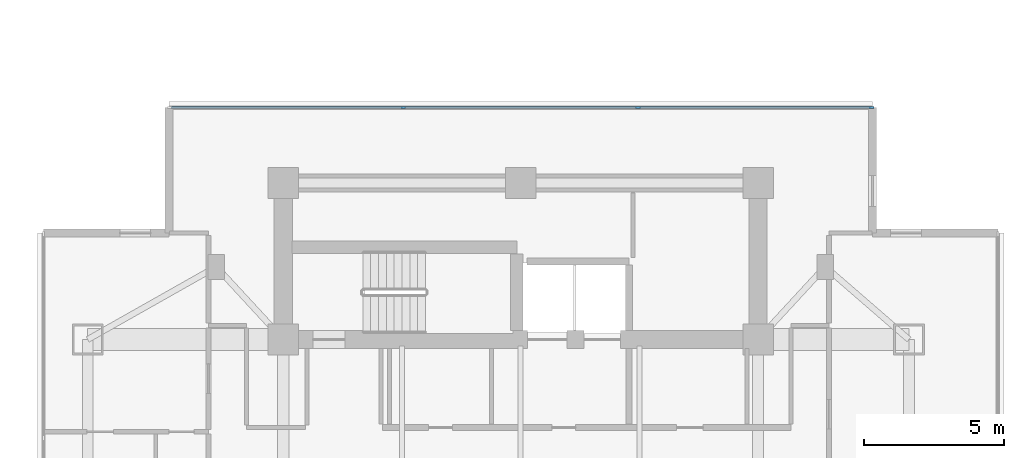
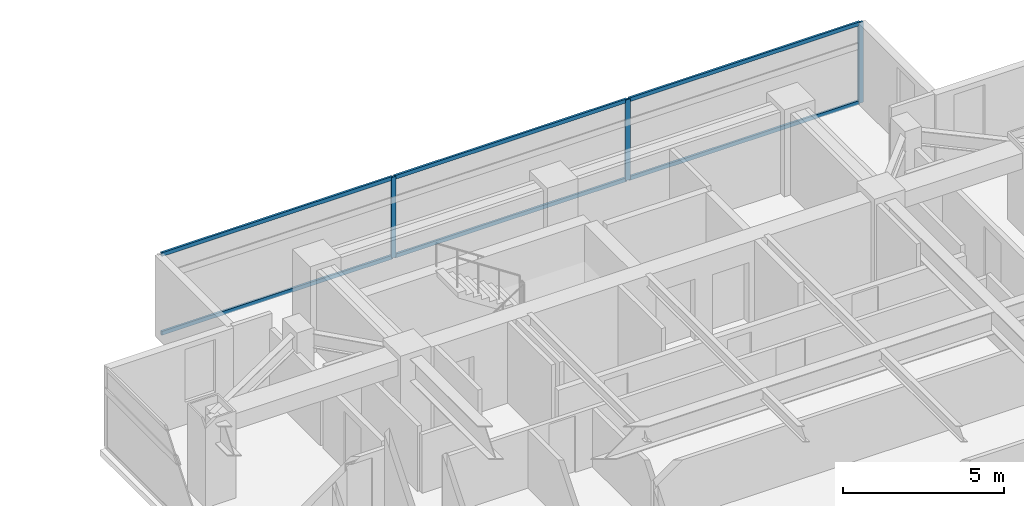
# One storey, part 12 of 26: 9 members, 1 element without a shape of its own.
"""IFC4 building model written with IfcOpenShell, lengths in metres."""

from ifc_helpers import new_model, si_unit, direction, frame, origin, origin_2d, place, context, subcontext, project, spatial, rectangle, extrude, material, material_profile, profile_set, type_object, element, aggregate, save


model = new_model("IFC4")

# Units and contexts
model_context = context("Model", 3, precision=1e-05, world=origin(), true_north=direction((0.0, 1.0)))
body_context = subcontext(model_context, "Body", "Model", "MODEL_VIEW")
ifc_project = project(units=[si_unit("LENGTHUNIT", "METRE"), si_unit("AREAUNIT", "SQUARE_METRE"), si_unit("VOLUMEUNIT", "CUBIC_METRE"), si_unit("PLANEANGLEUNIT", "RADIAN"), si_unit("MASSUNIT", "GRAM", prefix="KILO")], contexts=[model_context])

# Site, building, storey
site_placement = place(None, origin())
site = spatial("IfcSite", under=ifc_project, at=site_placement, CompositionType="ELEMENT")
building_placement = place(site_placement, origin())
building = spatial("IfcBuilding", under=site, at=building_placement, Name="Mirazonda Arch Towers", CompositionType="ELEMENT")
storey_placement = place(building_placement, frame((0.0, 0.0, 121.39990234375)))
storey = spatial("IfcBuildingStorey", under=building, at=storey_placement, Name="L34", CompositionType="ELEMENT", Elevation=121.39990234375)

# Curtain wall, members
ifc_material_1 = material(Name="Anodised Aluminium and Low-E Glass", Category="aluminium")
curtain_wall_type = type_object("IfcCurtainWallType", Name="CW-HTL-UNIT", PredefinedType="NOTDEFINED", material=ifc_material_1)
curtain_wall_placement = place(storey_placement, origin())
curtain_wall = element("IfcCurtainWall", 1, at=curtain_wall_placement, inside=storey, type_object=curtain_wall_type, Name="L34 T2 N Facade CW-L34-T2-N", PredefinedType="NOTDEFINED")
ifc_material_2 = material(Name="Anodised Aluminium Alloy", Category="aluminium")
ifc_material_profile_1 = material_profile(ifc_material_2, rectangle(XDim=0.074951171875, YDim=0.1650390625, at=origin_2d()), Name="ALU-MULL-75x165")
ifc_profile_set_1 = profile_set([ifc_material_profile_1], Name="Anodised Aluminium Alloy")
member_type_1 = type_object("IfcMemberType", Name="MULL-CW-HTL-UNIT", PredefinedType="MULLION", material=ifc_profile_set_1)
member_1_placement = place(storey_placement, frame((72.30126953125, 43.502197265625, 0.0), z_axis=(0.0, 0.0, 1.0), x_axis=(0.0, 1.0, 0.0)))
member_1 = element("IfcMember", 2, at=member_1_placement, type_object=member_type_1, Name="CW-112 mullion 2", PredefinedType="MULLION", context=body_context, shape_type="SweptSolid", body=[
    extrude(rectangle(XDim=0.074951171875, YDim=0.1650390625, at=origin_2d()), origin(), (0.0, 0.0, 1.0), 3.06005859375),
])
member_2_placement = place(storey_placement, frame((80.69873046875, 43.502197265625, 0.0), z_axis=(0.0, 0.0, 1.0), x_axis=(0.0, 1.0, 0.0)))
member_2 = element("IfcMember", 3, at=member_2_placement, type_object=member_type_1, Name="CW-112 mullion 3", PredefinedType="MULLION", context=body_context, shape_type="SweptSolid", body=[
    extrude(rectangle(XDim=0.074951171875, YDim=0.1650390625, at=origin_2d()), origin(), (0.0, 0.0, 1.0), 3.06005859375),
])
member_3_placement = place(storey_placement, frame((89.05908203125, 43.502197265625, 0.0), z_axis=(0.0, 0.0, 1.0), x_axis=(0.0, 1.0, 0.0)))
member_3 = element("IfcMember", 4, at=member_3_placement, type_object=member_type_1, Name="CW-112 mullion 4", PredefinedType="MULLION", context=body_context, shape_type="SweptSolid", body=[
    extrude(rectangle(XDim=0.074951171875, YDim=0.1650390625, at=origin_2d()), origin(), (0.0, 0.0, 1.0), 3.06005859375),
])
ifc_material_profile_2 = material_profile(ifc_material_2, rectangle(XDim=0.074951171875, YDim=0.14501953125, at=origin_2d()), Name="ALU-TRAN-75x145")
ifc_profile_set_2 = profile_set([ifc_material_profile_2], Name="Anodised Aluminium Alloy")
member_type_2 = type_object("IfcMemberType", Name="TRAN-CW-HTL-UNIT", PredefinedType="USERDEFINED", material=ifc_profile_set_2)
member_4_placement = place(storey_placement, frame((63.978515625, 43.502197265625, 0.03759765625), z_axis=(1.0, 0.0, 0.0), x_axis=(0.0, 1.0, 0.0)))
member_4 = element("IfcMember", 5, at=member_4_placement, type_object=member_type_2, Name="CW-112 transom 1.1", ObjectType="TRANSOM", PredefinedType="USERDEFINED", context=body_context, shape_type="SweptSolid", body=[
    extrude(rectangle(XDim=0.074951171875, YDim=0.14501953125, at=origin_2d()), origin(), (0.0, 0.0, 1.0), 8.28515625),
])
member_5_placement = place(storey_placement, frame((63.978515625, 43.502197265625, 3.022705078125), z_axis=(1.0, 0.0, 0.0), x_axis=(0.0, 1.0, 0.0)))
member_5 = element("IfcMember", 6, at=member_5_placement, type_object=member_type_2, Name="CW-112 transom 1.2", ObjectType="TRANSOM", PredefinedType="USERDEFINED", context=body_context, shape_type="SweptSolid", body=[
    extrude(rectangle(XDim=0.074951171875, YDim=0.14501953125, at=origin_2d()), origin(), (0.0, 0.0, 1.0), 8.28515625),
])
member_6_placement = place(storey_placement, frame((72.338623046875, 43.502197265625, 0.03759765625), z_axis=(1.0, 0.0, 0.0), x_axis=(0.0, 1.0, 0.0)))
member_6 = element("IfcMember", 7, at=member_6_placement, type_object=member_type_2, Name="CW-112 transom 2.1", ObjectType="TRANSOM", PredefinedType="USERDEFINED", context=body_context, shape_type="SweptSolid", body=[
    extrude(rectangle(XDim=0.074951171875, YDim=0.14501953125, at=origin_2d()), origin(), (0.0, 0.0, 1.0), 8.32275390625),
])
member_7_placement = place(storey_placement, frame((72.338623046875, 43.502197265625, 3.022705078125), z_axis=(1.0, 0.0, 0.0), x_axis=(0.0, 1.0, 0.0)))
member_7 = element("IfcMember", 8, at=member_7_placement, type_object=member_type_2, Name="CW-112 transom 2.2", ObjectType="TRANSOM", PredefinedType="USERDEFINED", context=body_context, shape_type="SweptSolid", body=[
    extrude(rectangle(XDim=0.074951171875, YDim=0.14501953125, at=origin_2d()), origin(), (0.0, 0.0, 1.0), 8.32275390625),
])
member_8_placement = place(storey_placement, frame((80.736328125, 43.502197265625, 0.03759765625), z_axis=(1.0, 0.0, 0.0), x_axis=(0.0, 1.0, 0.0)))
member_8 = element("IfcMember", 9, at=member_8_placement, type_object=member_type_2, Name="CW-112 transom 3.1", ObjectType="TRANSOM", PredefinedType="USERDEFINED", context=body_context, shape_type="SweptSolid", body=[
    extrude(rectangle(XDim=0.074951171875, YDim=0.14501953125, at=origin_2d()), origin(), (0.0, 0.0, 1.0), 8.28515625),
])
member_9_placement = place(storey_placement, frame((80.736328125, 43.502197265625, 3.022705078125), z_axis=(1.0, 0.0, 0.0), x_axis=(0.0, 1.0, 0.0)))
member_9 = element("IfcMember", 10, at=member_9_placement, type_object=member_type_2, Name="CW-112 transom 3.2", ObjectType="TRANSOM", PredefinedType="USERDEFINED", context=body_context, shape_type="SweptSolid", body=[
    extrude(rectangle(XDim=0.074951171875, YDim=0.14501953125, at=origin_2d()), origin(), (0.0, 0.0, 1.0), 8.28515625),
])
aggregate(curtain_wall, [member_1, member_2, member_3, member_4, member_5, member_6, member_7, member_8, member_9])

save(model, "model.ifc")
